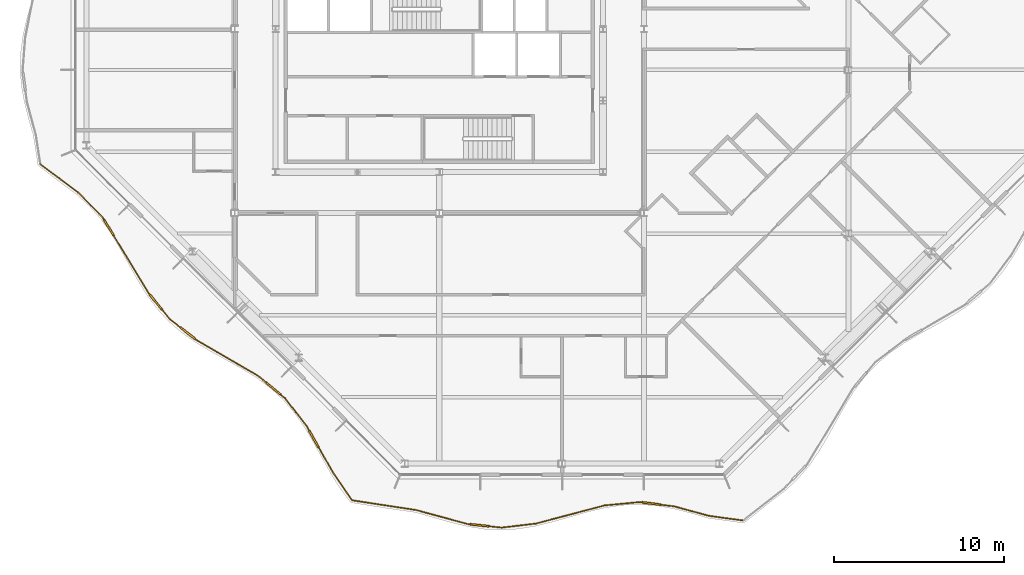
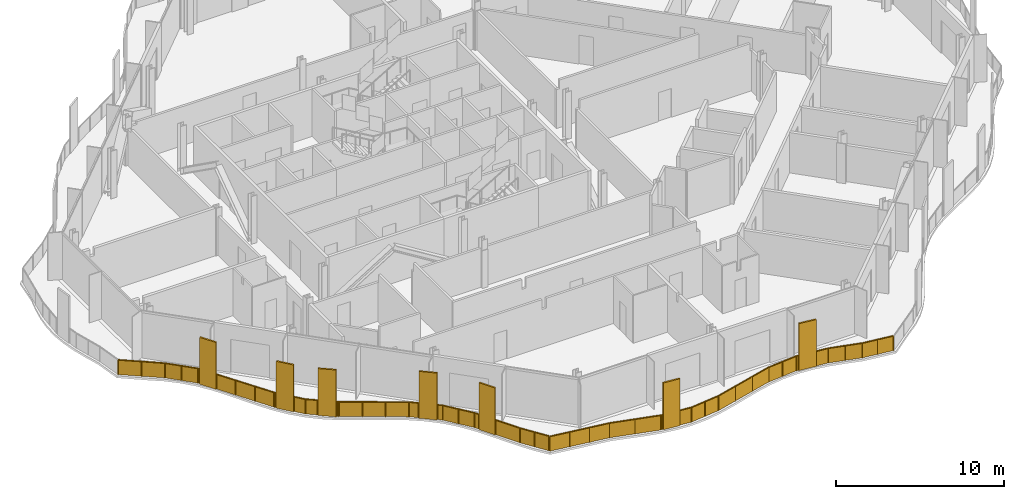
# One storey, part 13 of 17: 2 railings.
"""IFC4 building model written with IfcOpenShell, lengths in metres."""

from ifc_helpers import new_model, si_unit, direction, frame, origin, origin_2d, place, context, subcontext, project, spatial, polyline, rectangle, outline, extrude, material, type_object, element, save


model = new_model("IFC4")

# Units and contexts
model_context = context("Model", 3, precision=1e-05, world=origin(), true_north=direction((0.0, 1.0)))
body_context = subcontext(model_context, "Body", "Model", "MODEL_VIEW")
ifc_project = project(units=[si_unit("LENGTHUNIT", "METRE"), si_unit("AREAUNIT", "SQUARE_METRE"), si_unit("VOLUMEUNIT", "CUBIC_METRE"), si_unit("PLANEANGLEUNIT", "RADIAN"), si_unit("MASSUNIT", "GRAM", prefix="KILO")], contexts=[model_context])

# Site, building, storey
site_placement = place(None, origin())
site = spatial("IfcSite", under=ifc_project, at=site_placement, CompositionType="ELEMENT")
building_placement = place(site_placement, origin())
building = spatial("IfcBuilding", under=site, at=building_placement, Name="Cairn Pilgrim Tower", CompositionType="ELEMENT")
storey_placement = place(building_placement, frame((0.0, 0.0, 246.60009765625)))
storey = spatial("IfcBuildingStorey", under=building, at=storey_placement, Name="L63", CompositionType="ELEMENT", Elevation=246.60009765625)

# Railings
ifc_material = material(Name="Bronze anodised aluminium rail, posts and fin screens with laminated glass infill", Category="aluminium")
railing_type = type_object("IfcRailingType", Name="BALCONY GUARD WITH FIN SCREENS", PredefinedType="GUARDRAIL", material=ifc_material)
railing_1_placement = place(storey_placement, frame((2.080078125, -25.24609375, 0.0)))
element("IfcRailing", 1, at=railing_1_placement, inside=storey, type_object=railing_type, Name="Balcony guard BGF-1 with fin screens", PredefinedType="GUARDRAIL", context=body_context, shape_type="SweptSolid", body=[
    extrude(rectangle(XDim=0.050048828125, YDim=0.050048828125, at=origin_2d()), frame((0.0, 0.0, 1.0751953125), z_axis=(0.988604932965, -0.150533340218, 0.0), x_axis=(0.150533340218, 0.988604932965, 0.0)), (0.0, 0.0, 1.0), 3.804931640625),
    extrude(rectangle(XDim=0.050048828125, YDim=0.050048828125, at=origin_2d()), frame((3.761474609375, -0.57275390625, 1.0751953125), z_axis=(0.965052325493, -0.262057262941, 0.0), x_axis=(0.262057262941, 0.965052325493, 0.0)), (0.0, 0.0, 1.0), 3.1376953125),
    extrude(rectangle(XDim=1.10009765625, YDim=0.110107421875, at=origin_2d()), frame((7.48583984375, -1.467529296875, 0.0), z_axis=(0.0, 0.0, 1.0), x_axis=(0.994607152388, -0.103714089778, 0.0)), (0.0, 0.0, 1.0), 3.39990234375),
    extrude(rectangle(XDim=0.050048828125, YDim=0.050048828125, at=origin_2d()), frame((6.78955078125, -1.39501953125, 1.0751953125), z_axis=(0.994607152388, -0.103714089778, 0.0), x_axis=(0.103714089778, 0.994607152388, 0.0)), (0.0, 0.0, 1.0), 0.150146484375),
    extrude(rectangle(XDim=0.050048828125, YDim=0.050048828125, at=origin_2d()), frame((8.032958984375, -1.524658203125, 1.0751953125), z_axis=(0.994607152388, -0.103714089778, 0.0), x_axis=(0.103714089778, 0.994607152388, 0.0)), (0.0, 0.0, 1.0), 0.753173828125),
    extrude(rectangle(XDim=0.050048828125, YDim=0.050048828125, at=origin_2d()), frame((8.781982421875, -1.602783203125, 1.0751953125), z_axis=(0.99317796676, 0.1166084317, 0.0), x_axis=(-0.1166084317, 0.99317796676, 0.0)), (0.0, 0.0, 1.0), 2.0078125),
    extrude(rectangle(XDim=0.050048828125, YDim=0.050048828125, at=origin_2d()), frame((10.776123046875, -1.36865234375, 1.0751953125), z_axis=(0.966796474004, 0.255547603888, 0.0), x_axis=(-0.255547603888, 0.966796474004, 0.0)), (0.0, 0.0, 1.0), 4.1826171875),
    extrude(rectangle(XDim=0.050048828125, YDim=0.050048828125, at=origin_2d()), frame((14.81982421875, -0.2998046875, 1.0751953125), z_axis=(0.995480005826, 0.094971353581, 0.0), x_axis=(-0.094971353581, 0.995480005826, 0.0)), (0.0, 0.0, 1.0), 2.05908203125),
    extrude(rectangle(XDim=1.10009765625, YDim=0.110107421875, at=origin_2d()), frame((17.564208984375, -0.191650390625, 0.0), z_axis=(0.0, 0.0, 1.0), x_axis=(0.99215364122, -0.125024606434, 0.0)), (0.0, 0.0, 1.0), 3.39990234375),
    extrude(rectangle(XDim=0.050048828125, YDim=0.050048828125, at=origin_2d()), frame((16.86962890625, -0.104248046875, 1.0751953125), z_axis=(0.99215364122, -0.125024606434, 0.0), x_axis=(0.125024606434, 0.99215364122, 0.0)), (0.0, 0.0, 1.0), 0.14990234375),
    extrude(rectangle(XDim=0.050048828125, YDim=0.050048828125, at=origin_2d()), frame((18.10986328125, -0.260498046875, 1.0751953125), z_axis=(0.99215364122, -0.125024606434, 0.0), x_axis=(0.125024606434, 0.99215364122, 0.0)), (0.0, 0.0, 1.0), 0.81396484375),
    extrude(rectangle(XDim=0.050048828125, YDim=0.050048828125, at=origin_2d()), frame((18.91748046875, -0.3623046875, 1.0751953125), z_axis=(0.964933008441, -0.262496265156, 0.0), x_axis=(0.262496265156, 0.964933008441, 0.0)), (0.0, 0.0, 1.0), 2.095458984375),
    extrude(rectangle(XDim=0.050048828125, YDim=0.050048828125, at=origin_2d()), frame((20.939453125, -0.912353515625, 1.0751953125), z_axis=(0.990796192906, -0.135362122189, 0.0), x_axis=(0.135362122189, 0.990796192906, 0.0)), (0.0, 0.0, 1.0), 1.969482421875),
    extrude(rectangle(XDim=0.050048828125, YDim=0.050048828125, at=origin_2d()), origin(), (0.0, 0.0, 1.0), 1.050048828125),
    extrude(rectangle(XDim=0.050048828125, YDim=0.050048828125, at=origin_2d()), frame((1.25390625, -0.19091796875, 0.0)), (0.0, 0.0, 1.0), 1.050048828125),
    extrude(rectangle(XDim=0.050048828125, YDim=0.050048828125, at=origin_2d()), frame((2.507568359375, -0.3818359375, 0.0)), (0.0, 0.0, 1.0), 1.050048828125),
    extrude(rectangle(XDim=0.050048828125, YDim=0.050048828125, at=origin_2d()), frame((3.761474609375, -0.57275390625, 0.0)), (0.0, 0.0, 1.0), 1.050048828125),
    extrude(rectangle(XDim=0.050048828125, YDim=0.050048828125, at=origin_2d()), frame((5.275390625, -0.98388671875, 0.0)), (0.0, 0.0, 1.0), 1.050048828125),
    extrude(rectangle(XDim=0.050048828125, YDim=0.050048828125, at=origin_2d()), frame((6.78955078125, -1.39501953125, 0.0)), (0.0, 0.0, 1.0), 1.050048828125),
    extrude(rectangle(XDim=0.050048828125, YDim=0.050048828125, at=origin_2d()), frame((6.9140625, -1.407958984375, 0.0)), (0.0, 0.0, 1.0), 1.050048828125),
    extrude(rectangle(XDim=0.050048828125, YDim=0.050048828125, at=origin_2d()), frame((8.057861328125, -1.52734375, 0.0)), (0.0, 0.0, 1.0), 1.050048828125),
    extrude(rectangle(XDim=0.050048828125, YDim=0.050048828125, at=origin_2d()), frame((8.781982421875, -1.602783203125, 0.0)), (0.0, 0.0, 1.0), 1.050048828125),
    extrude(rectangle(XDim=0.050048828125, YDim=0.050048828125, at=origin_2d()), frame((9.779052734375, -1.48583984375, 0.0)), (0.0, 0.0, 1.0), 1.050048828125),
    extrude(rectangle(XDim=0.050048828125, YDim=0.050048828125, at=origin_2d()), frame((10.776123046875, -1.36865234375, 0.0)), (0.0, 0.0, 1.0), 1.050048828125),
    extrude(rectangle(XDim=0.050048828125, YDim=0.050048828125, at=origin_2d()), frame((12.1240234375, -1.012451171875, 0.0)), (0.0, 0.0, 1.0), 1.050048828125),
    extrude(rectangle(XDim=0.050048828125, YDim=0.050048828125, at=origin_2d()), frame((13.471923828125, -0.656005859375, 0.0)), (0.0, 0.0, 1.0), 1.050048828125),
    extrude(rectangle(XDim=0.050048828125, YDim=0.050048828125, at=origin_2d()), frame((14.81982421875, -0.2998046875, 0.0)), (0.0, 0.0, 1.0), 1.050048828125),
    extrude(rectangle(XDim=0.050048828125, YDim=0.050048828125, at=origin_2d()), frame((15.8447265625, -0.2021484375, 0.0)), (0.0, 0.0, 1.0), 1.050048828125),
    extrude(rectangle(XDim=0.050048828125, YDim=0.050048828125, at=origin_2d()), frame((16.86962890625, -0.104248046875, 0.0)), (0.0, 0.0, 1.0), 1.050048828125),
    extrude(rectangle(XDim=0.050048828125, YDim=0.050048828125, at=origin_2d()), frame((16.99365234375, -0.119873046875, 0.0)), (0.0, 0.0, 1.0), 1.050048828125),
    extrude(rectangle(XDim=0.050048828125, YDim=0.050048828125, at=origin_2d()), frame((18.134521484375, -0.263671875, 0.0)), (0.0, 0.0, 1.0), 1.050048828125),
    extrude(rectangle(XDim=0.050048828125, YDim=0.050048828125, at=origin_2d()), frame((18.91748046875, -0.3623046875, 0.0)), (0.0, 0.0, 1.0), 1.050048828125),
    extrude(rectangle(XDim=0.050048828125, YDim=0.050048828125, at=origin_2d()), frame((19.928466796875, -0.63720703125, 0.0)), (0.0, 0.0, 1.0), 1.050048828125),
    extrude(rectangle(XDim=0.050048828125, YDim=0.050048828125, at=origin_2d()), frame((20.939453125, -0.912353515625, 0.0)), (0.0, 0.0, 1.0), 1.050048828125),
    extrude(rectangle(XDim=0.050048828125, YDim=0.050048828125, at=origin_2d()), frame((21.9150390625, -1.045654296875, 0.0)), (0.0, 0.0, 1.0), 1.050048828125),
    extrude(rectangle(XDim=0.050048828125, YDim=0.050048828125, at=origin_2d()), frame((22.890869140625, -1.178955078125, 0.0)), (0.0, 0.0, 1.0), 1.050048828125),
    extrude(outline(polyline([(0.02490234375, 0.0), (1.2431640625, 0.0), (1.2431640625, 1.050048828125), (0.02490234375, 1.050048828125), (0.02490234375, 0.0)])), frame((0.0009765625, 0.005859375, 0.0), z_axis=(-0.150533340218, -0.988604932965, 0.0), x_axis=(0.988604932965, -0.150533340218, 0.0)), (0.0, 0.0, 1.0), 0.011962890625),
    extrude(outline(polyline([(0.02490234375, 0.0), (1.2431640625, 0.0), (1.2431640625, 1.050048828125), (0.02490234375, 1.050048828125), (0.02490234375, 0.0)])), frame((1.254638671875, -0.18505859375, 0.0), z_axis=(-0.150533340218, -0.988604932965, 0.0), x_axis=(0.988604932965, -0.150533340218, 0.0)), (0.0, 0.0, 1.0), 0.011962890625),
    extrude(outline(polyline([(0.02490234375, 0.0), (1.2431640625, 0.0), (1.2431640625, 1.050048828125), (0.02490234375, 1.050048828125), (0.02490234375, 0.0)])), frame((2.508544921875, -0.3759765625, 0.0), z_axis=(-0.150533340218, -0.988604932965, 0.0), x_axis=(0.988604932965, -0.150533340218, 0.0)), (0.0, 0.0, 1.0), 0.011962890625),
    extrude(outline(polyline([(0.02490234375, 0.0), (1.5439453125, 0.0), (1.5439453125, 1.050048828125), (0.02490234375, 1.050048828125), (0.02490234375, 0.0)])), frame((3.762939453125, -0.56689453125, 0.0), z_axis=(-0.262057262941, -0.965052325493, 0.0), x_axis=(0.965052325493, -0.262057262941, 0.0)), (0.0, 0.0, 1.0), 0.011962890625),
    extrude(outline(polyline([(0.02490234375, 0.0), (1.5439453125, 0.0), (1.5439453125, 1.050048828125), (0.02490234375, 1.050048828125), (0.02490234375, 0.0)])), frame((5.277099609375, -0.97802734375, 0.0), z_axis=(-0.262057262941, -0.965052325493, 0.0), x_axis=(0.965052325493, -0.262057262941, 0.0)), (0.0, 0.0, 1.0), 0.011962890625),
    extrude(outline(polyline([(0.02490234375, 0.0), (0.10009765625, 0.0), (0.10009765625, 1.050048828125), (0.02490234375, 1.050048828125), (0.02490234375, 0.0)])), frame((6.790283203125, -1.38916015625, 0.0), z_axis=(-0.103714089778, -0.994607152388, 0.0), x_axis=(0.994607152388, -0.103714089778, 0.0)), (0.0, 0.0, 1.0), 0.011962890625),
    extrude(outline(polyline([(0.02490234375, 0.0), (0.703125, 0.0), (0.703125, 1.050048828125), (0.02490234375, 1.050048828125), (0.02490234375, 0.0)])), frame((8.058349609375, -1.521240234375, 0.0), z_axis=(-0.103714089778, -0.994607152388, 0.0), x_axis=(0.994607152388, -0.103714089778, 0.0)), (0.0, 0.0, 1.0), 0.011962890625),
    extrude(outline(polyline([(0.02490234375, 0.0), (0.97900390625, 0.0), (0.97900390625, 1.050048828125), (0.02490234375, 1.050048828125), (0.02490234375, 0.0)])), frame((8.78125, -1.596923828125, 0.0), z_axis=(0.1166084317, -0.99317796676, 0.0), x_axis=(0.99317796676, 0.1166084317, 0.0)), (0.0, 0.0, 1.0), 0.011962890625),
    extrude(outline(polyline([(0.02490234375, 0.0), (0.97900390625, 0.0), (0.97900390625, 1.050048828125), (0.02490234375, 1.050048828125), (0.02490234375, 0.0)])), frame((9.7783203125, -1.479736328125, 0.0), z_axis=(0.1166084317, -0.99317796676, 0.0), x_axis=(0.99317796676, 0.1166084317, 0.0)), (0.0, 0.0, 1.0), 0.011962890625),
    extrude(outline(polyline([(0.02490234375, 0.0), (1.369140625, 0.0), (1.369140625, 1.050048828125), (0.02490234375, 1.050048828125), (0.02490234375, 0.0)])), frame((10.774658203125, -1.36279296875, 0.0), z_axis=(0.255547603888, -0.966796474004, 0.0), x_axis=(0.966796474004, 0.255547603888, 0.0)), (0.0, 0.0, 1.0), 0.011962890625),
    extrude(outline(polyline([(0.02490234375, 0.0), (1.369140625, 0.0), (1.369140625, 1.050048828125), (0.02490234375, 1.050048828125), (0.02490234375, 0.0)])), frame((12.12255859375, -1.006591796875, 0.0), z_axis=(0.255547603888, -0.966796474004, 0.0), x_axis=(0.966796474004, 0.255547603888, 0.0)), (0.0, 0.0, 1.0), 0.011962890625),
    extrude(outline(polyline([(0.02490234375, 0.0), (1.369140625, 0.0), (1.369140625, 1.050048828125), (0.02490234375, 1.050048828125), (0.02490234375, 0.0)])), frame((13.470458984375, -0.650390625, 0.0), z_axis=(0.255547603888, -0.966796474004, 0.0), x_axis=(0.966796474004, 0.255547603888, 0.0)), (0.0, 0.0, 1.0), 0.011962890625),
    extrude(outline(polyline([(0.02490234375, 0.0), (1.004638671875, 0.0), (1.004638671875, 1.050048828125), (0.02490234375, 1.050048828125), (0.02490234375, 0.0)])), frame((14.8193359375, -0.2939453125, 0.0), z_axis=(0.094971353581, -0.995480005826, 0.0), x_axis=(0.995480005826, 0.094971353581, 0.0)), (0.0, 0.0, 1.0), 0.011962890625),
    extrude(outline(polyline([(0.02490234375, 0.0), (1.004638671875, 0.0), (1.004638671875, 1.050048828125), (0.02490234375, 1.050048828125), (0.02490234375, 0.0)])), frame((15.84423828125, -0.196044921875, 0.0), z_axis=(0.094971353581, -0.995480005826, 0.0), x_axis=(0.995480005826, 0.094971353581, 0.0)), (0.0, 0.0, 1.0), 0.011962890625),
    extrude(outline(polyline([(0.02490234375, 0.0), (0.099853515625, 0.0), (0.099853515625, 1.050048828125), (0.02490234375, 1.050048828125), (0.02490234375, 0.0)])), frame((16.870361328125, -0.098388671875, 0.0), z_axis=(-0.125024606434, -0.99215364122, 0.0), x_axis=(0.99215364122, -0.125024606434, 0.0)), (0.0, 0.0, 1.0), 0.011962890625),
    extrude(outline(polyline([(0.02490234375, 0.0), (0.763916015625, 0.0), (0.763916015625, 1.050048828125), (0.02490234375, 1.050048828125), (0.02490234375, 0.0)])), frame((18.13525390625, -0.2578125, 0.0), z_axis=(-0.125024606434, -0.99215364122, 0.0), x_axis=(0.99215364122, -0.125024606434, 0.0)), (0.0, 0.0, 1.0), 0.011962890625),
    extrude(outline(polyline([(0.02490234375, 0.0), (1.022705078125, 0.0), (1.022705078125, 1.050048828125), (0.02490234375, 1.050048828125), (0.02490234375, 0.0)])), frame((18.9189453125, -0.3564453125, 0.0), z_axis=(-0.262496265156, -0.964933008441, 0.0), x_axis=(0.964933008441, -0.262496265156, 0.0)), (0.0, 0.0, 1.0), 0.011962890625),
    extrude(outline(polyline([(0.02490234375, 0.0), (1.022705078125, 0.0), (1.022705078125, 1.050048828125), (0.02490234375, 1.050048828125), (0.02490234375, 0.0)])), frame((19.929931640625, -0.631591796875, 0.0), z_axis=(-0.262496265156, -0.964933008441, 0.0), x_axis=(0.964933008441, -0.262496265156, 0.0)), (0.0, 0.0, 1.0), 0.011962890625),
    extrude(outline(polyline([(0.02490234375, 0.0), (0.959716796875, 0.0), (0.959716796875, 1.050048828125), (0.02490234375, 1.050048828125), (0.02490234375, 0.0)])), frame((20.940185546875, -0.906494140625, 0.0), z_axis=(-0.135362122189, -0.990796192906, 0.0), x_axis=(0.990796192906, -0.135362122189, 0.0)), (0.0, 0.0, 1.0), 0.011962890625),
    extrude(outline(polyline([(0.02490234375, 0.0), (0.959716796875, 0.0), (0.959716796875, 1.050048828125), (0.02490234375, 1.050048828125), (0.02490234375, 0.0)])), frame((21.916015625, -1.039794921875, 0.0), z_axis=(-0.135362122189, -0.990796192906, 0.0), x_axis=(0.990796192906, -0.135362122189, 0.0)), (0.0, 0.0, 1.0), 0.011962890625),
])
railing_2_placement = place(storey_placement, frame((-16.208251953125, -5.523193359375, 0.0)))
element("IfcRailing", 2, at=railing_2_placement, inside=storey, type_object=railing_type, Name="Balcony guard BGF-8 with fin screens", PredefinedType="GUARDRAIL", context=body_context, shape_type="SweptSolid", body=[
    extrude(rectangle(XDim=0.050048828125, YDim=0.050048828125, at=origin_2d()), frame((0.0, 0.0, 1.0751953125), z_axis=(0.798929998312, -0.601424024959, 0.0), x_axis=(0.601424024959, 0.798929998312, 0.0)), (0.0, 0.0, 1.0), 2.796142578125),
    extrude(rectangle(XDim=0.050048828125, YDim=0.050048828125, at=origin_2d()), frame((2.23388671875, -1.681640625, 1.0751953125), z_axis=(0.701097357888, -0.713065561335, 0.0), x_axis=(0.713065561335, 0.701097357888, 0.0)), (0.0, 0.0, 1.0), 2.039794921875),
    extrude(rectangle(XDim=1.10009765625, YDim=0.110107421875, at=origin_2d()), frame((4.026611328125, -3.735107421875, 0.0), z_axis=(0.0, 0.0, 1.0), x_axis=(0.517857091522, -0.855467143005, 0.0)), (0.0, 0.0, 1.0), 3.39990234375),
    extrude(rectangle(XDim=0.050048828125, YDim=0.050048828125, at=origin_2d()), frame((3.6640625, -3.13623046875, 1.0751953125), z_axis=(0.517857091522, -0.855467143005, 0.0), x_axis=(0.855467143005, 0.517857091522, 0.0)), (0.0, 0.0, 1.0), 0.150146484375),
    extrude(rectangle(XDim=0.050048828125, YDim=0.050048828125, at=origin_2d()), frame((4.3115234375, -4.20556640625, 1.0751953125), z_axis=(0.517857091522, -0.855467143005, 0.0), x_axis=(0.855467143005, 0.517857091522, 0.0)), (0.0, 0.0, 1.0), 3.934814453125),
    extrude(rectangle(XDim=1.10009765625, YDim=0.110107421875, at=origin_2d()), frame((6.79345703125, -8.1123046875, 0.0), z_axis=(0.0, 0.0, 1.0), x_axis=(0.635063184455, -0.772460194282, 0.0)), (0.0, 0.0, 1.0), 3.39990234375),
    extrude(rectangle(XDim=0.050048828125, YDim=0.050048828125, at=origin_2d()), frame((6.34912109375, -7.57177734375, 1.0751953125), z_axis=(0.635063184455, -0.772460194282, 0.0), x_axis=(0.772460194282, 0.635063184455, 0.0)), (0.0, 0.0, 1.0), 0.14990234375),
    extrude(rectangle(XDim=0.050048828125, YDim=0.050048828125, at=origin_2d()), frame((7.142822265625, -8.537353515625, 1.0751953125), z_axis=(0.635063184455, -0.772460194282, 0.0), x_axis=(0.772460194282, 0.635063184455, 0.0)), (0.0, 0.0, 1.0), 0.743896484375),
    extrude(rectangle(XDim=1.10009765625, YDim=0.110107421875, at=origin_2d()), frame((8.63916015625, -9.911865234375, 0.0), z_axis=(0.0, 0.0, 1.0), x_axis=(0.788035480357, -0.615629825218, 0.0)), (0.0, 0.0, 1.0), 3.39990234375),
    extrude(rectangle(XDim=0.050048828125, YDim=0.050048828125, at=origin_2d()), frame((7.615234375, -9.11181640625, 1.0751953125), z_axis=(0.788035480357, -0.615629825218, 0.0), x_axis=(0.615629825218, 0.788035480357, 0.0)), (0.0, 0.0, 1.0), 0.74951171875),
    extrude(rectangle(XDim=0.050048828125, YDim=0.050048828125, at=origin_2d()), frame((9.07275390625, -10.25048828125, 1.0751953125), z_axis=(0.788035480357, -0.615629825218, 0.0), x_axis=(0.615629825218, 0.788035480357, 0.0)), (0.0, 0.0, 1.0), 0.150146484375),
    extrude(rectangle(XDim=0.050048828125, YDim=0.050048828125, at=origin_2d()), frame((9.19091796875, -10.3427734375, 1.0751953125), z_axis=(0.864373826551, -0.502849766803, 0.0), x_axis=(0.502849766803, 0.864373826551, 0.0)), (0.0, 0.0, 1.0), 4.163330078125),
    extrude(rectangle(XDim=1.10009765625, YDim=0.110107421875, at=origin_2d()), frame((13.680908203125, -13.17626953125, 0.0), z_axis=(0.0, 0.0, 1.0), x_axis=(0.769440823309, -0.638718106386, 0.0)), (0.0, 0.0, 1.0), 3.39990234375),
    extrude(rectangle(XDim=0.050048828125, YDim=0.050048828125, at=origin_2d()), frame((12.78955078125, -12.436279296875, 1.0751953125), z_axis=(0.769440823309, -0.638718106386, 0.0), x_axis=(0.638718106386, 0.769440823309, 0.0)), (0.0, 0.0, 1.0), 0.6083984375),
    extrude(rectangle(XDim=0.050048828125, YDim=0.050048828125, at=origin_2d()), frame((14.10400390625, -13.527587890625, 1.0751953125), z_axis=(0.769440823309, -0.638718106386, 0.0), x_axis=(0.638718106386, 0.769440823309, 0.0)), (0.0, 0.0, 1.0), 0.34033203125),
    extrude(rectangle(XDim=0.050048828125, YDim=0.050048828125, at=origin_2d()), frame((14.365966796875, -13.744873046875, 1.0751953125), z_axis=(0.612096510157, -0.790783069023, 0.0), x_axis=(0.790783069023, 0.612096510157, 0.0)), (0.0, 0.0, 1.0), 2.054931640625),
    extrude(rectangle(XDim=1.10009765625, YDim=0.110107421875, at=origin_2d()), frame((16.051025390625, -16.1220703125, 0.0), z_axis=(0.0, 0.0, 1.0), x_axis=(0.493863500492, -0.869539442971, 0.0)), (0.0, 0.0, 1.0), 3.39990234375),
    extrude(rectangle(XDim=0.050048828125, YDim=0.050048828125, at=origin_2d()), frame((15.623779296875, -15.369873046875, 1.0751953125), z_axis=(0.493863500492, -0.869539442971, 0.0), x_axis=(0.869539442971, 0.493863500492, 0.0)), (0.0, 0.0, 1.0), 0.31494140625),
    extrude(rectangle(XDim=0.050048828125, YDim=0.050048828125, at=origin_2d()), frame((16.322509765625, -16.600341796875, 1.0751953125), z_axis=(0.493863500492, -0.869539442971, 0.0), x_axis=(0.869539442971, 0.493863500492, 0.0)), (0.0, 0.0, 1.0), 1.71875),
    extrude(rectangle(XDim=0.050048828125, YDim=0.050048828125, at=origin_2d()), frame((17.17138671875, -18.0947265625, 1.0751953125), z_axis=(0.565657209045, -0.824640480364, 0.0), x_axis=(0.824640480364, 0.565657209045, 0.0)), (0.0, 0.0, 1.0), 1.91455078125),
    extrude(rectangle(XDim=0.050048828125, YDim=0.050048828125, at=origin_2d()), origin(), (0.0, 0.0, 1.0), 1.050048828125),
    extrude(rectangle(XDim=0.050048828125, YDim=0.050048828125, at=origin_2d()), frame((1.116943359375, -0.8408203125, 0.0)), (0.0, 0.0, 1.0), 1.050048828125),
    extrude(rectangle(XDim=0.050048828125, YDim=0.050048828125, at=origin_2d()), frame((2.23388671875, -1.681640625, 0.0)), (0.0, 0.0, 1.0), 1.050048828125),
    extrude(rectangle(XDim=0.050048828125, YDim=0.050048828125, at=origin_2d()), frame((2.948974609375, -2.408935546875, 0.0)), (0.0, 0.0, 1.0), 1.050048828125),
    extrude(rectangle(XDim=0.050048828125, YDim=0.050048828125, at=origin_2d()), frame((3.6640625, -3.13623046875, 0.0)), (0.0, 0.0, 1.0), 1.050048828125),
    extrude(rectangle(XDim=0.050048828125, YDim=0.050048828125, at=origin_2d()), frame((3.728759765625, -3.2431640625, 0.0)), (0.0, 0.0, 1.0), 1.050048828125),
    extrude(rectangle(XDim=0.050048828125, YDim=0.050048828125, at=origin_2d()), frame((4.324462890625, -4.22705078125, 0.0)), (0.0, 0.0, 1.0), 1.050048828125),
    extrude(rectangle(XDim=0.050048828125, YDim=0.050048828125, at=origin_2d()), frame((4.999267578125, -5.342041015625, 0.0)), (0.0, 0.0, 1.0), 1.050048828125),
    extrude(rectangle(XDim=0.050048828125, YDim=0.050048828125, at=origin_2d()), frame((5.67431640625, -6.456787109375, 0.0)), (0.0, 0.0, 1.0), 1.050048828125),
    extrude(rectangle(XDim=0.050048828125, YDim=0.050048828125, at=origin_2d()), frame((6.34912109375, -7.57177734375, 0.0)), (0.0, 0.0, 1.0), 1.050048828125),
    extrude(rectangle(XDim=0.050048828125, YDim=0.050048828125, at=origin_2d()), frame((6.428466796875, -7.668212890625, 0.0)), (0.0, 0.0, 1.0), 1.050048828125),
    extrude(rectangle(XDim=0.050048828125, YDim=0.050048828125, at=origin_2d()), frame((7.15869140625, -8.556640625, 0.0)), (0.0, 0.0, 1.0), 1.050048828125),
    extrude(rectangle(XDim=0.050048828125, YDim=0.050048828125, at=origin_2d()), frame((7.615234375, -9.11181640625, 0.0)), (0.0, 0.0, 1.0), 1.050048828125),
    extrude(rectangle(XDim=0.050048828125, YDim=0.050048828125, at=origin_2d()), frame((8.18603515625, -9.557861328125, 0.0)), (0.0, 0.0, 1.0), 1.050048828125),
    extrude(rectangle(XDim=0.050048828125, YDim=0.050048828125, at=origin_2d()), frame((9.09228515625, -10.265869140625, 0.0)), (0.0, 0.0, 1.0), 1.050048828125),
    extrude(rectangle(XDim=0.050048828125, YDim=0.050048828125, at=origin_2d()), frame((9.19091796875, -10.3427734375, 0.0)), (0.0, 0.0, 1.0), 1.050048828125),
    extrude(rectangle(XDim=0.050048828125, YDim=0.050048828125, at=origin_2d()), frame((10.390380859375, -11.04052734375, 0.0)), (0.0, 0.0, 1.0), 1.050048828125),
    extrude(rectangle(XDim=0.050048828125, YDim=0.050048828125, at=origin_2d()), frame((11.590087890625, -11.738525390625, 0.0)), (0.0, 0.0, 1.0), 1.050048828125),
    extrude(rectangle(XDim=0.050048828125, YDim=0.050048828125, at=origin_2d()), frame((12.78955078125, -12.436279296875, 0.0)), (0.0, 0.0, 1.0), 1.050048828125),
    extrude(rectangle(XDim=0.050048828125, YDim=0.050048828125, at=origin_2d()), frame((13.238525390625, -12.808837890625, 0.0)), (0.0, 0.0, 1.0), 1.050048828125),
    extrude(rectangle(XDim=0.050048828125, YDim=0.050048828125, at=origin_2d()), frame((14.123291015625, -13.54345703125, 0.0)), (0.0, 0.0, 1.0), 1.050048828125),
    extrude(rectangle(XDim=0.050048828125, YDim=0.050048828125, at=origin_2d()), frame((14.365966796875, -13.744873046875, 0.0)), (0.0, 0.0, 1.0), 1.050048828125),
    extrude(rectangle(XDim=0.050048828125, YDim=0.050048828125, at=origin_2d()), frame((14.994873046875, -14.557373046875, 0.0)), (0.0, 0.0, 1.0), 1.050048828125),
    extrude(rectangle(XDim=0.050048828125, YDim=0.050048828125, at=origin_2d()), frame((15.623779296875, -15.369873046875, 0.0)), (0.0, 0.0, 1.0), 1.050048828125),
    extrude(rectangle(XDim=0.050048828125, YDim=0.050048828125, at=origin_2d()), frame((15.76708984375, -15.6220703125, 0.0)), (0.0, 0.0, 1.0), 1.050048828125),
    extrude(rectangle(XDim=0.050048828125, YDim=0.050048828125, at=origin_2d()), frame((16.3349609375, -16.6220703125, 0.0)), (0.0, 0.0, 1.0), 1.050048828125),
    extrude(rectangle(XDim=0.050048828125, YDim=0.050048828125, at=origin_2d()), frame((17.17138671875, -18.0947265625, 0.0)), (0.0, 0.0, 1.0), 1.050048828125),
    extrude(rectangle(XDim=0.050048828125, YDim=0.050048828125, at=origin_2d()), frame((17.712890625, -18.88427734375, 0.0)), (0.0, 0.0, 1.0), 1.050048828125),
    extrude(rectangle(XDim=0.050048828125, YDim=0.050048828125, at=origin_2d()), frame((18.25439453125, -19.673583984375, 0.0)), (0.0, 0.0, 1.0), 1.050048828125),
    extrude(outline(polyline([(0.02490234375, 0.0), (1.373046875, 0.0), (1.373046875, 1.050048828125), (0.02490234375, 1.050048828125), (0.02490234375, 0.0)])), frame((0.003662109375, 0.0048828125, 0.0), z_axis=(-0.601424024959, -0.798929998312, 0.0), x_axis=(0.798929998312, -0.601424024959, 0.0)), (0.0, 0.0, 1.0), 0.011962890625),
    extrude(outline(polyline([(0.02490234375, 0.0), (1.373046875, 0.0), (1.373046875, 1.050048828125), (0.02490234375, 1.050048828125), (0.02490234375, 0.0)])), frame((1.12060546875, -0.8359375, 0.0), z_axis=(-0.601424024959, -0.798929998312, 0.0), x_axis=(0.798929998312, -0.601424024959, 0.0)), (0.0, 0.0, 1.0), 0.011962890625),
    extrude(outline(polyline([(0.02490234375, 0.0), (0.994873046875, 0.0), (0.994873046875, 1.050048828125), (0.02490234375, 1.050048828125), (0.02490234375, 0.0)])), frame((2.238037109375, -1.677490234375, 0.0), z_axis=(-0.713065561335, -0.701097357888, 0.0), x_axis=(0.701097357888, -0.713065561335, 0.0)), (0.0, 0.0, 1.0), 0.011962890625),
    extrude(outline(polyline([(0.02490234375, 0.0), (0.994873046875, 0.0), (0.994873046875, 1.050048828125), (0.02490234375, 1.050048828125), (0.02490234375, 0.0)])), frame((2.953125, -2.40478515625, 0.0), z_axis=(-0.713065561335, -0.701097357888, 0.0), x_axis=(0.701097357888, -0.713065561335, 0.0)), (0.0, 0.0, 1.0), 0.011962890625),
    extrude(outline(polyline([(0.02490234375, 0.0), (0.10009765625, 0.0), (0.10009765625, 1.050048828125), (0.02490234375, 1.050048828125), (0.02490234375, 0.0)])), frame((3.669189453125, -3.133056640625, 0.0), z_axis=(-0.855467143005, -0.517857091522, 0.0), x_axis=(0.517857091522, -0.855467143005, 0.0)), (0.0, 0.0, 1.0), 0.011962890625),
    extrude(outline(polyline([(0.02490234375, 0.0), (1.2783203125, 0.0), (1.2783203125, 1.050048828125), (0.02490234375, 1.050048828125), (0.02490234375, 0.0)])), frame((4.32958984375, -4.223876953125, 0.0), z_axis=(-0.855467143005, -0.517857091522, 0.0), x_axis=(0.517857091522, -0.855467143005, 0.0)), (0.0, 0.0, 1.0), 0.011962890625),
    extrude(outline(polyline([(0.02490234375, 0.0), (1.2783203125, 0.0), (1.2783203125, 1.050048828125), (0.02490234375, 1.050048828125), (0.02490234375, 0.0)])), frame((5.00439453125, -5.3388671875, 0.0), z_axis=(-0.855467143005, -0.517857091522, 0.0), x_axis=(0.517857091522, -0.855467143005, 0.0)), (0.0, 0.0, 1.0), 0.011962890625),
    extrude(outline(polyline([(0.02490234375, 0.0), (1.2783203125, 0.0), (1.2783203125, 1.050048828125), (0.02490234375, 1.050048828125), (0.02490234375, 0.0)])), frame((5.679443359375, -6.453857421875, 0.0), z_axis=(-0.855467143005, -0.517857091522, 0.0), x_axis=(0.517857091522, -0.855467143005, 0.0)), (0.0, 0.0, 1.0), 0.011962890625),
    extrude(outline(polyline([(0.02490234375, 0.0), (0.099853515625, 0.0), (0.099853515625, 1.050048828125), (0.02490234375, 1.050048828125), (0.02490234375, 0.0)])), frame((6.353759765625, -7.56787109375, 0.0), z_axis=(-0.772460194282, -0.635063184455, 0.0), x_axis=(0.635063184455, -0.772460194282, 0.0)), (0.0, 0.0, 1.0), 0.011962890625),
    extrude(outline(polyline([(0.02490234375, 0.0), (0.69384765625, 0.0), (0.69384765625, 1.050048828125), (0.02490234375, 1.050048828125), (0.02490234375, 0.0)])), frame((7.163330078125, -8.552734375, 0.0), z_axis=(-0.772460194282, -0.635063184455, 0.0), x_axis=(0.635063184455, -0.772460194282, 0.0)), (0.0, 0.0, 1.0), 0.011962890625),
    extrude(outline(polyline([(0.02490234375, 0.0), (0.699462890625, 0.0), (0.699462890625, 1.050048828125), (0.02490234375, 1.050048828125), (0.02490234375, 0.0)])), frame((7.618896484375, -9.107177734375, 0.0), z_axis=(-0.615629825218, -0.788035480357, 0.0), x_axis=(0.788035480357, -0.615629825218, 0.0)), (0.0, 0.0, 1.0), 0.011962890625),
    extrude(outline(polyline([(0.02490234375, 0.0), (0.10009765625, 0.0), (0.10009765625, 1.050048828125), (0.02490234375, 1.050048828125), (0.02490234375, 0.0)])), frame((9.09619140625, -10.260986328125, 0.0), z_axis=(-0.615629825218, -0.788035480357, 0.0), x_axis=(0.788035480357, -0.615629825218, 0.0)), (0.0, 0.0, 1.0), 0.011962890625),
    extrude(outline(polyline([(0.02490234375, 0.0), (1.36279296875, 0.0), (1.36279296875, 1.050048828125), (0.02490234375, 1.050048828125), (0.02490234375, 0.0)])), frame((9.19384765625, -10.337646484375, 0.0), z_axis=(-0.502849766803, -0.864373826551, 0.0), x_axis=(0.864373826551, -0.502849766803, 0.0)), (0.0, 0.0, 1.0), 0.011962890625),
    extrude(outline(polyline([(0.02490234375, 0.0), (1.36279296875, 0.0), (1.36279296875, 1.050048828125), (0.02490234375, 1.050048828125), (0.02490234375, 0.0)])), frame((10.3935546875, -11.035400390625, 0.0), z_axis=(-0.502849766803, -0.864373826551, 0.0), x_axis=(0.864373826551, -0.502849766803, 0.0)), (0.0, 0.0, 1.0), 0.011962890625),
    extrude(outline(polyline([(0.02490234375, 0.0), (1.36279296875, 0.0), (1.36279296875, 1.050048828125), (0.02490234375, 1.050048828125), (0.02490234375, 0.0)])), frame((11.593017578125, -11.733154296875, 0.0), z_axis=(-0.502849766803, -0.864373826551, 0.0), x_axis=(0.864373826551, -0.502849766803, 0.0)), (0.0, 0.0, 1.0), 0.011962890625),
    extrude(outline(polyline([(0.02490234375, 0.0), (0.558349609375, 0.0), (0.558349609375, 1.050048828125), (0.02490234375, 1.050048828125), (0.02490234375, 0.0)])), frame((12.79345703125, -12.431640625, 0.0), z_axis=(-0.638718106386, -0.769440823309, 0.0), x_axis=(0.769440823309, -0.638718106386, 0.0)), (0.0, 0.0, 1.0), 0.011962890625),
    extrude(outline(polyline([(0.02490234375, 0.0), (0.290283203125, 0.0), (0.290283203125, 1.050048828125), (0.02490234375, 1.050048828125), (0.02490234375, 0.0)])), frame((14.127197265625, -13.538818359375, 0.0), z_axis=(-0.638718106386, -0.769440823309, 0.0), x_axis=(0.769440823309, -0.638718106386, 0.0)), (0.0, 0.0, 1.0), 0.011962890625),
    extrude(outline(polyline([(0.02490234375, 0.0), (1.00244140625, 0.0), (1.00244140625, 1.050048828125), (0.02490234375, 1.050048828125), (0.02490234375, 0.0)])), frame((14.37060546875, -13.7412109375, 0.0), z_axis=(-0.790783069023, -0.612096510157, 0.0), x_axis=(0.612096510157, -0.790783069023, 0.0)), (0.0, 0.0, 1.0), 0.011962890625),
    extrude(outline(polyline([(0.02490234375, 0.0), (1.00244140625, 0.0), (1.00244140625, 1.050048828125), (0.02490234375, 1.050048828125), (0.02490234375, 0.0)])), frame((14.99951171875, -14.5537109375, 0.0), z_axis=(-0.790783069023, -0.612096510157, 0.0), x_axis=(0.612096510157, -0.790783069023, 0.0)), (0.0, 0.0, 1.0), 0.011962890625),
    extrude(outline(polyline([(0.02490234375, 0.0), (0.264892578125, 0.0), (0.264892578125, 1.050048828125), (0.02490234375, 1.050048828125), (0.02490234375, 0.0)])), frame((15.62890625, -15.366943359375, 0.0), z_axis=(-0.869539442971, -0.493863500492, 0.0), x_axis=(0.493863500492, -0.869539442971, 0.0)), (0.0, 0.0, 1.0), 0.011962890625),
    extrude(outline(polyline([(0.02490234375, 0.0), (1.668701171875, 0.0), (1.668701171875, 1.050048828125), (0.02490234375, 1.050048828125), (0.02490234375, 0.0)])), frame((16.340087890625, -16.619140625, 0.0), z_axis=(-0.869539442971, -0.493863500492, 0.0), x_axis=(0.493863500492, -0.869539442971, 0.0)), (0.0, 0.0, 1.0), 0.011962890625),
    extrude(outline(polyline([(0.02490234375, 0.0), (0.932373046875, 0.0), (0.932373046875, 1.050048828125), (0.02490234375, 1.050048828125), (0.02490234375, 0.0)])), frame((17.17626953125, -18.09130859375, 0.0), z_axis=(-0.824640480364, -0.565657209045, 0.0), x_axis=(0.565657209045, -0.824640480364, 0.0)), (0.0, 0.0, 1.0), 0.011962890625),
    extrude(outline(polyline([(0.02490234375, 0.0), (0.932373046875, 0.0), (0.932373046875, 1.050048828125), (0.02490234375, 1.050048828125), (0.02490234375, 0.0)])), frame((17.7177734375, -18.880859375, 0.0), z_axis=(-0.824640480364, -0.565657209045, 0.0), x_axis=(0.565657209045, -0.824640480364, 0.0)), (0.0, 0.0, 1.0), 0.011962890625),
])

save(model, "model.ifc")
